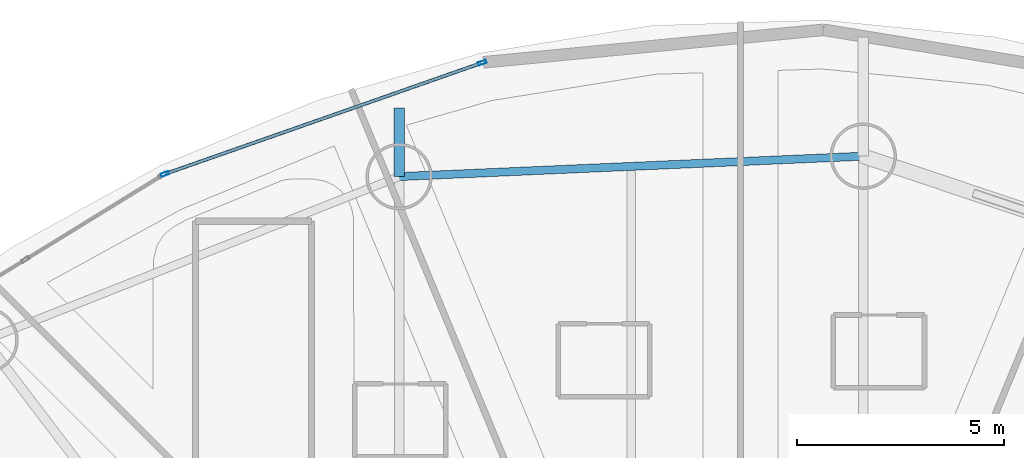
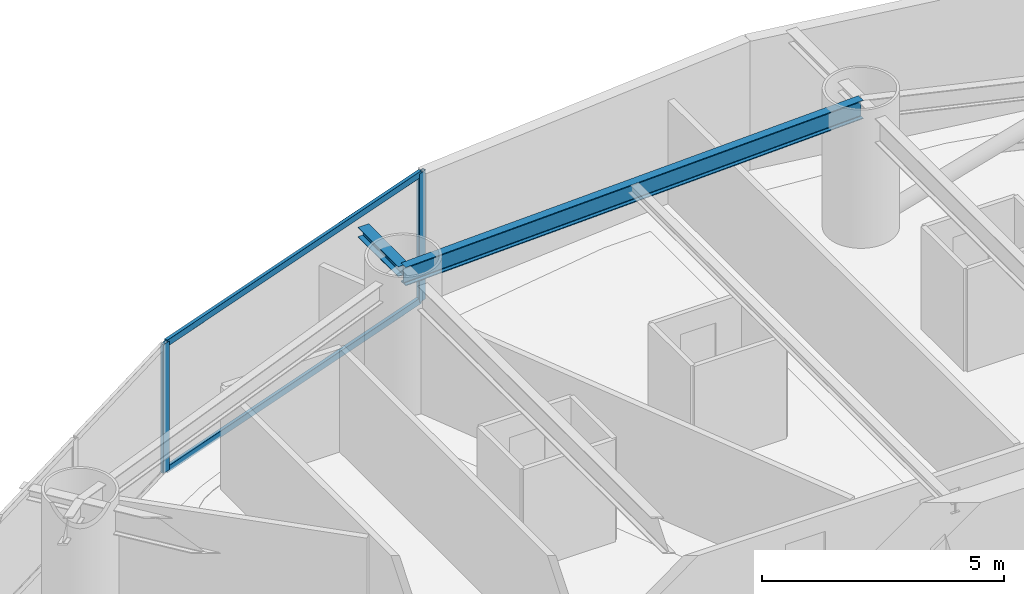
# One storey, part 14 of 27: 4 members, 2 beams, 1 element without a shape of its own.
"""IFC4 building model written with IfcOpenShell, lengths in metres."""

from ifc_helpers import new_model, si_unit, direction, frame, origin, origin_2d, place, context, subcontext, project, spatial, hollow_rectangle, i_section, extrude, material, layer, layer_set, material_profile, profile_set, type_object, element, aggregate, save


model = new_model("IFC4")

# Units and contexts
model_context = context("Model", 3, precision=1e-05, world=origin(), true_north=direction((0.0, 1.0)))
body_context = subcontext(model_context, "Body", "Model", "MODEL_VIEW")
ifc_project = project(units=[si_unit("LENGTHUNIT", "METRE"), si_unit("AREAUNIT", "SQUARE_METRE"), si_unit("VOLUMEUNIT", "CUBIC_METRE"), si_unit("PLANEANGLEUNIT", "RADIAN"), si_unit("MASSUNIT", "GRAM", prefix="KILO")], contexts=[model_context])

# Site, building, storey
site_placement = place(None, origin())
site = spatial("IfcSite", under=ifc_project, at=site_placement, CompositionType="ELEMENT")
building_placement = place(site_placement, origin())
building = spatial("IfcBuilding", under=site, at=building_placement, Name="Bramvorn Convention Spire", CompositionType="ELEMENT")
storey_placement = place(building_placement, frame((0.0, 0.0, 44.89990234375)))
storey = spatial("IfcBuildingStorey", under=building, at=storey_placement, Name="L08", CompositionType="ELEMENT", Elevation=44.89990234375)

# Beams
ifc_material_1 = material(Name="Steel CSA G40.21 Grade 350 (350W)", Category="steel")
ifc_material_profile_1 = material_profile(ifc_material_1, i_section(OverallWidth=0.25390625, OverallDepth=0.2529296875, WebThickness=0.008544921875, FlangeThickness=0.01416015625, FilletRadius=0.011962890625, at=origin_2d()))
ifc_profile_set_1 = profile_set([ifc_material_profile_1], Name="Steel CSA G40.21 Grade 350 (350W) - W250X73")
beam_type_1 = type_object("IfcBeamType", Name="BM-W250X73", PredefinedType="BEAM", material=ifc_profile_set_1)
beam_1_placement = place(storey_placement, frame((29.76220703125, 46.57666015625, 3.12353515625), z_axis=(0.0, 1.0, 0.0), x_axis=(-1.0, 0.0, 0.0)))
element("IfcBeam", 1, at=beam_1_placement, inside=storey, type_object=beam_type_1, Name="L08 slab-edge cantilever tip beam MC06", PredefinedType="BEAM", context=body_context, shape_type="SweptSolid", body=[
    extrude(i_section(OverallWidth=0.25390625, OverallDepth=0.2529296875, WebThickness=0.008544921875, FlangeThickness=0.01416015625, FilletRadius=0.011962890625, at=origin_2d()), origin(), (0.0, 0.0, 1.0), 1.654296875),
])
ifc_material_profile_2 = material_profile(ifc_material_1, i_section(OverallWidth=0.194091796875, OverallDepth=0.468994140625, WebThickness=0.0126953125, FlangeThickness=0.0205078125, FilletRadius=0.01806640625, at=origin_2d()))
ifc_profile_set_2 = profile_set([ifc_material_profile_2], Name="Steel CSA G40.21 Grade 350 (350W) - W460X106")
beam_type_2 = type_object("IfcBeamType", Name="BM-W460X106", PredefinedType="SPANDREL", material=ifc_profile_set_2)
beam_2_placement = place(storey_placement, frame((40.9609375, 47.06884765625, 3.015625), z_axis=(-0.999035582762, -0.043907907889, 0.0), x_axis=(0.043907907889, -0.999035582762, 0.0)))
element("IfcBeam", 2, at=beam_2_placement, inside=storey, type_object=beam_type_2, Name="L08 mega-column ring beam 05", PredefinedType="SPANDREL", context=body_context, shape_type="SweptSolid", body=[
    extrude(i_section(OverallWidth=0.194091796875, OverallDepth=0.468994140625, WebThickness=0.0126953125, FlangeThickness=0.0205078125, FilletRadius=0.01806640625, at=origin_2d()), origin(), (0.0, 0.0, 1.0), 11.20947265625),
])

# Curtain wall, members
ifc_material_2 = material(Name="Anodised Bronze Unitised Curtain Wall", Category="aluminium")
ifc_layer = layer(ifc_material_2, 0.179931640625)
ifc_layer_set = layer_set([ifc_layer], Name="Anodised Bronze Unitised Curtain Wall - CW-HTL-FRIT")
curtain_wall_type = type_object("IfcCurtainWallType", Name="CW-HTL-FRIT", PredefinedType="USERDEFINED", material=ifc_layer_set)
curtain_wall_placement = place(storey_placement, origin())
curtain_wall = element("IfcCurtainWall", 3, at=curtain_wall_placement, inside=storey, type_object=curtain_wall_type, Name="L08 fritted glass curtain wall 08", ObjectType="UNITISED CURTAIN WALL", PredefinedType="USERDEFINED")
ifc_material_3 = material(Name="Anodised Bronze Aluminium 6063-T6", Category="aluminium")
ifc_material_profile_3 = material_profile(ifc_material_3, hollow_rectangle(XDim=0.080078125, YDim=0.199951171875, WallThickness=0.00390625, InnerFilletRadius=0.0009765625, OuterFilletRadius=0.00390625, at=origin_2d()))
ifc_profile_set_3 = profile_set([ifc_material_profile_3], Name="Anodised Bronze Aluminium 6063-T6 - CWM80X200")
member_type_1 = type_object("IfcMemberType", Name="CW-MUL-180", PredefinedType="MULLION", material=ifc_profile_set_3)
member_1_placement = place(storey_placement, frame((24.114501953125, 46.6396484375, 0.0), z_axis=(0.0, 0.0, 1.0), x_axis=(-0.330934766704, 0.94365363359, 0.0)))
member_1 = element("IfcMember", 4, at=member_1_placement, type_object=member_type_1, Name="CW2 mullion 1", PredefinedType="MULLION", context=body_context, shape_type="SweptSolid", body=[
    extrude(hollow_rectangle(XDim=0.080078125, YDim=0.199951171875, WallThickness=0.00390625, InnerFilletRadius=0.0009765625, OuterFilletRadius=0.00390625, at=origin_2d()), origin(), (0.0, 0.0, 1.0), 3.25),
])
member_2_placement = place(storey_placement, frame((31.768310546875, 49.32373046875, 0.0), z_axis=(0.0, 0.0, 1.0), x_axis=(-0.330934766704, 0.94365363359, 0.0)))
member_2 = element("IfcMember", 5, at=member_2_placement, type_object=member_type_1, Name="CW2 mullion 2", PredefinedType="MULLION", context=body_context, shape_type="SweptSolid", body=[
    extrude(hollow_rectangle(XDim=0.080078125, YDim=0.199951171875, WallThickness=0.00390625, InnerFilletRadius=0.0009765625, OuterFilletRadius=0.00390625, at=origin_2d()), origin(), (0.0, 0.0, 1.0), 3.25),
])
ifc_material_profile_4 = material_profile(ifc_material_3, hollow_rectangle(XDim=0.080078125, YDim=0.159912109375, WallThickness=0.00390625, InnerFilletRadius=0.0009765625, OuterFilletRadius=0.00390625, at=origin_2d()))
ifc_profile_set_4 = profile_set([ifc_material_profile_4], Name="Anodised Bronze Aluminium 6063-T6 - CWT80X160")
member_type_2 = type_object("IfcMemberType", Name="CW-TRN-150", PredefinedType="USERDEFINED", material=ifc_profile_set_4)
member_3_placement = place(storey_placement, frame((24.142822265625, 46.6494140625, 0.030029296875), z_axis=(0.943652990978, 0.330936599092, 0.0), x_axis=(-0.330936599092, 0.943652990978, 0.0)))
member_3 = element("IfcMember", 6, at=member_3_placement, type_object=member_type_2, Name="CW2 transom 1.1", ObjectType="TRANSOM", PredefinedType="USERDEFINED", context=body_context, shape_type="SweptSolid", body=[
    extrude(hollow_rectangle(XDim=0.080078125, YDim=0.159912109375, WallThickness=0.00390625, InnerFilletRadius=0.0009765625, OuterFilletRadius=0.00390625, at=origin_2d()), origin(), (0.0, 0.0, 1.0), 8.05078125),
])
member_4_placement = place(storey_placement, frame((24.142822265625, 46.6494140625, 3.22021484375), z_axis=(0.943652990978, 0.330936599092, 0.0), x_axis=(-0.330936599092, 0.943652990978, 0.0)))
member_4 = element("IfcMember", 7, at=member_4_placement, type_object=member_type_2, Name="CW2 transom 1.2", ObjectType="TRANSOM", PredefinedType="USERDEFINED", context=body_context, shape_type="SweptSolid", body=[
    extrude(hollow_rectangle(XDim=0.080078125, YDim=0.159912109375, WallThickness=0.00390625, InnerFilletRadius=0.0009765625, OuterFilletRadius=0.00390625, at=origin_2d()), origin(), (0.0, 0.0, 1.0), 8.05078125),
])
aggregate(curtain_wall, [member_1, member_2, member_3, member_4])

save(model, "model.ifc")
